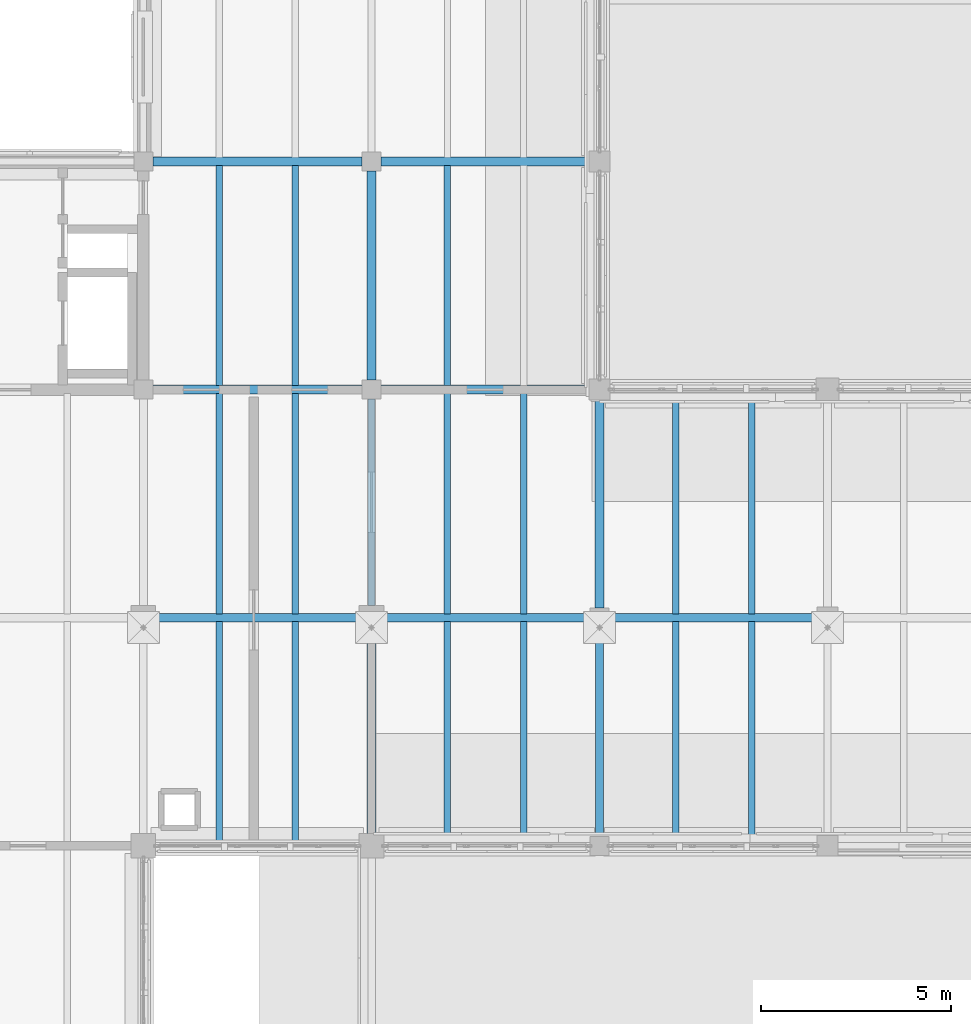
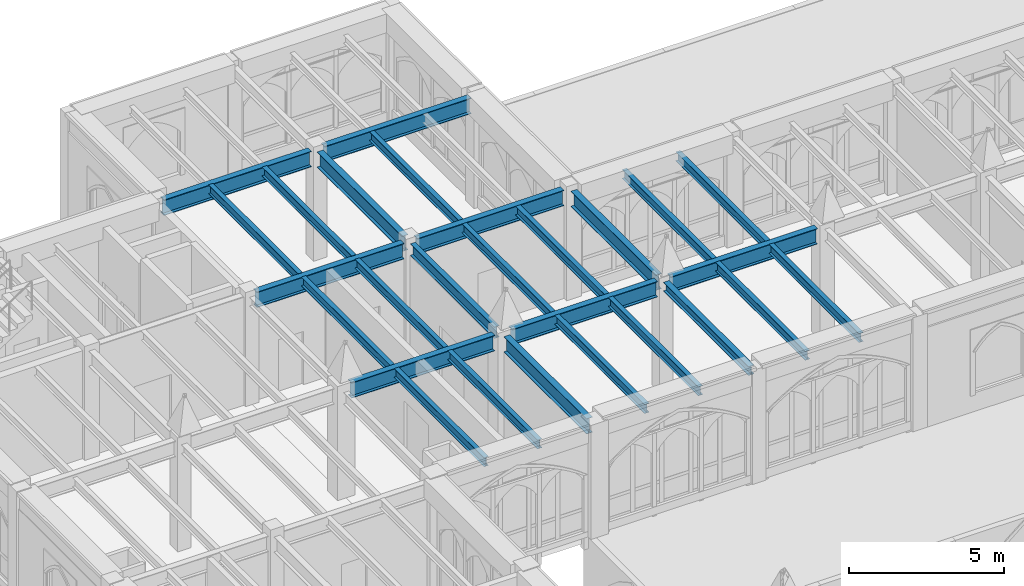
# One storey, part 74 of 143: 27 beams.
"""IFC4 building model written with IfcOpenShell, lengths in metres."""

from ifc_helpers import new_model, si_unit, direction, frame, origin, origin_2d, place, context, subcontext, project, spatial, i_section, extrude, material, material_profile, profile_set, type_object, element, save


model = new_model("IFC4")

# Units and contexts
model_context = context("Model", 3, precision=1e-05, world=origin(), true_north=direction((0.0, 1.0)))
body_context = subcontext(model_context, "Body", "Model", "MODEL_VIEW")
ifc_project = project(units=[si_unit("LENGTHUNIT", "METRE"), si_unit("AREAUNIT", "SQUARE_METRE"), si_unit("VOLUMEUNIT", "CUBIC_METRE"), si_unit("PLANEANGLEUNIT", "RADIAN"), si_unit("MASSUNIT", "GRAM", prefix="KILO")], contexts=[model_context])

# Site, building, storey
site_placement = place(None, origin())
site = spatial("IfcSite", under=ifc_project, at=site_placement, CompositionType="ELEMENT")
building_placement = place(site_placement, origin())
building = spatial("IfcBuilding", under=site, at=building_placement, Name="Cumevento Cable Car Station", CompositionType="ELEMENT")
storey_placement = place(building_placement, frame((0.0, 0.0, 9.0)))
storey = spatial("IfcBuildingStorey", under=building, at=storey_placement, Name="L03", CompositionType="ELEMENT", Elevation=9.0)

# Beams
ifc_material_1 = material(Name="Steel ASTM A572 Grade 50", Category="steel")
ifc_material_profile_1 = material_profile(ifc_material_1, i_section(OverallWidth=0.22998046875, OverallDepth=0.616943359375, WebThickness=0.01318359375, FlangeThickness=0.022216796875, at=origin_2d()), Name="W610x140.0")
ifc_profile_set_1 = profile_set([ifc_material_profile_1], Name="Steel ASTM A572 Grade 50")
beam_type_1 = type_object("IfcBeamType", Name="Structural Beam BM-01 W610x140.0", PredefinedType="BEAM", material=ifc_profile_set_1)
beam_1_placement = place(storey_placement, frame((130.324951171875, 39.0, 3.991455078125), z_axis=(1.0, 0.0, 0.0), x_axis=(0.0, 1.0, 0.0)))
element("IfcBeam", 1, at=beam_1_placement, inside=storey, type_object=beam_type_1, Name="Beam BM-01 L03 #1152", PredefinedType="BEAM", context=body_context, shape_type="SweptSolid", body=[
    extrude(i_section(OverallWidth=0.22998046875, OverallDepth=0.616943359375, WebThickness=0.01318359375, FlangeThickness=0.022216796875, at=origin_2d()), origin(), (0.0, 0.0, 1.0), 5.35009765625),
])
beam_2_placement = place(storey_placement, frame((130.25, 45.0, 3.95556640625), z_axis=(1.0, 0.0, 0.0), x_axis=(0.0, 1.0, 0.0)))
element("IfcBeam", 2, at=beam_2_placement, inside=storey, type_object=beam_type_1, Name="Beam BM-01 L03 #1155", PredefinedType="BEAM", context=body_context, shape_type="SweptSolid", body=[
    extrude(i_section(OverallWidth=0.22998046875, OverallDepth=0.616943359375, WebThickness=0.01318359375, FlangeThickness=0.022216796875, at=origin_2d()), origin(), (0.0, 0.0, 1.0), 5.5),
])
beam_3_placement = place(storey_placement, frame((136.324951171875, 39.0, 3.991455078125), z_axis=(1.0, 0.0, 0.0), x_axis=(0.0, 1.0, 0.0)))
element("IfcBeam", 3, at=beam_3_placement, inside=storey, type_object=beam_type_1, Name="Beam BM-01 L03 #1169", PredefinedType="BEAM", context=body_context, shape_type="SweptSolid", body=[
    extrude(i_section(OverallWidth=0.22998046875, OverallDepth=0.616943359375, WebThickness=0.01318359375, FlangeThickness=0.022216796875, at=origin_2d()), origin(), (0.0, 0.0, 1.0), 5.425048828125),
])
for number, where, z_axis, x_axis, name in (
    (4, (142.25, 39.0, 3.991455078125), (1.0, 0.0, 0.0), (0.0, 1.0, 0.0), "Beam BM-01 L03 #1170"),
    (5, (136.25, 45.0, 3.967529296875), (1.0, 0.0, 0.0), (0.0, 1.0, 0.0), "Beam BM-01 L03 #1174"),
):
    element("IfcBeam", number, at=place(storey_placement, frame(where, z_axis=z_axis, x_axis=x_axis)), inside=storey, type_object=beam_type_1, Name=name, PredefinedType="BEAM", context=body_context, shape_type="SweptSolid", body=[
        extrude(i_section(OverallWidth=0.22998046875, OverallDepth=0.616943359375, WebThickness=0.01318359375, FlangeThickness=0.022216796875, at=origin_2d()), origin(), (0.0, 0.0, 1.0), 5.47509765625),
    ])
beam_4_placement = place(storey_placement, frame((130.25, 51.0, 3.95556640625), z_axis=(1.0, 0.0, 0.0), x_axis=(0.0, 1.0, 0.0)))
element("IfcBeam", 6, at=beam_4_placement, inside=storey, type_object=beam_type_1, Name="Beam BM-01 L03 #1193", PredefinedType="BEAM", context=body_context, shape_type="SweptSolid", body=[
    extrude(i_section(OverallWidth=0.22998046875, OverallDepth=0.616943359375, WebThickness=0.01318359375, FlangeThickness=0.022216796875, at=origin_2d()), origin(), (0.0, 0.0, 1.0), 5.5),
])
beam_5_placement = place(storey_placement, frame((136.25, 51.0, 3.967529296875), z_axis=(1.0, 0.0, 0.0), x_axis=(0.0, 1.0, 0.0)))
element("IfcBeam", 7, at=beam_5_placement, inside=storey, type_object=beam_type_1, Name="Beam BM-01 L03 #1194", PredefinedType="BEAM", context=body_context, shape_type="SweptSolid", body=[
    extrude(i_section(OverallWidth=0.22998046875, OverallDepth=0.616943359375, WebThickness=0.01318359375, FlangeThickness=0.022216796875, at=origin_2d()), origin(), (0.0, 0.0, 1.0), 5.47509765625),
])
ifc_material_2 = material(Name="Steel ASTM A572 Grade 50", Category="steel")
ifc_material_profile_2 = material_profile(ifc_material_2, i_section(OverallWidth=0.22802734375, OverallDepth=0.60791015625, WebThickness=0.01123046875, FlangeThickness=0.017333984375, at=origin_2d()), Name="W610x113.0")
ifc_profile_set_2 = profile_set([ifc_material_profile_2], Name="Steel ASTM A572 Grade 50")
beam_type_2 = type_object("IfcBeamType", Name="Structural Beam BM-02 W610x113.0", PredefinedType="BEAM", material=ifc_profile_set_2)
beam_6_placement = place(storey_placement, frame((136.0, 33.324951171875, 3.99609375), z_axis=(0.0, 1.0, 0.0), x_axis=(-1.0, 0.0, 0.0)))
element("IfcBeam", 8, at=beam_6_placement, inside=storey, type_object=beam_type_2, Name="Beam BM-02 L03 #1162", PredefinedType="BEAM", context=body_context, shape_type="SweptSolid", body=[
    extrude(i_section(OverallWidth=0.22802734375, OverallDepth=0.60791015625, WebThickness=0.01123046875, FlangeThickness=0.017333984375, at=origin_2d()), origin(), (0.0, 0.0, 1.0), 5.35009765625),
])
beam_7_placement = place(storey_placement, frame((142.0, 39.25, 3.971923828125), z_axis=(0.0, 1.0, 0.0), x_axis=(-1.0, 0.0, 0.0)))
element("IfcBeam", 9, at=beam_7_placement, inside=storey, type_object=beam_type_2, Name="Beam BM-02 L03 #1180", PredefinedType="BEAM", context=body_context, shape_type="SweptSolid", body=[
    extrude(i_section(OverallWidth=0.22802734375, OverallDepth=0.60791015625, WebThickness=0.01123046875, FlangeThickness=0.017333984375, at=origin_2d()), origin(), (0.0, 0.0, 1.0), 5.47509765625),
])
beam_8_placement = place(storey_placement, frame((136.0, 45.25, 3.971923828125), z_axis=(0.0, 1.0, 0.0), x_axis=(-1.0, 0.0, 0.0)))
element("IfcBeam", 10, at=beam_8_placement, inside=storey, type_object=beam_type_2, Name="Beam BM-02 L03 #1198", PredefinedType="BEAM", context=body_context, shape_type="SweptSolid", body=[
    extrude(i_section(OverallWidth=0.22802734375, OverallDepth=0.60791015625, WebThickness=0.01123046875, FlangeThickness=0.017333984375, at=origin_2d()), origin(), (0.0, 0.0, 1.0), 5.5),
])
ifc_material_3 = material(Name="Steel ASTM A572 Grade 50", Category="steel")
ifc_material_profile_3 = material_profile(ifc_material_3, i_section(OverallWidth=0.18994140625, OverallDepth=0.45703125, WebThickness=0.009033203125, FlangeThickness=0.014404296875, at=origin_2d()), Name="W460x74.0")
ifc_profile_set_3 = profile_set([ifc_material_profile_3], Name="Steel ASTM A572 Grade 50")
beam_type_3 = type_object("IfcBeamType", Name="Structural Beam BM-04 W460x74.0", PredefinedType="BEAM", material=ifc_profile_set_3)
beam_9_placement = place(storey_placement, frame((136.0, 39.324951171875, 4.047607421875), z_axis=(0.0, 1.0, 0.0), x_axis=(-1.0, 0.0, 0.0)))
element("IfcBeam", 11, at=beam_9_placement, inside=storey, type_object=beam_type_3, Name="Beam BM-04 L03 #1163", PredefinedType="BEAM", context=body_context, shape_type="SweptSolid", body=[
    extrude(i_section(OverallWidth=0.18994140625, OverallDepth=0.45703125, WebThickness=0.009033203125, FlangeThickness=0.014404296875, at=origin_2d()), origin(), (0.0, 0.0, 1.0), 5.425048828125),
])
ifc_material_4 = material(Name="Steel ASTM A572 Grade 50", Category="steel")
ifc_material_profile_4 = material_profile(ifc_material_4, i_section(OverallWidth=0.205078125, OverallDepth=0.35400390625, WebThickness=0.009521484375, FlangeThickness=0.016845703125, at=origin_2d()), Name="W360x79.0")
ifc_profile_set_4 = profile_set([ifc_material_profile_4], Name="Steel ASTM A572 Grade 50")
beam_type_4 = type_object("IfcBeamType", Name="Structural Beam BM-05 W360x79.0", PredefinedType="BEAM", material=ifc_profile_set_4)
beam_10_placement = place(storey_placement, frame((142.0, 33.25, 4.123046875), z_axis=(0.0, 1.0, 0.0), x_axis=(-1.0, 0.0, 0.0)))
element("IfcBeam", 12, at=beam_10_placement, inside=storey, type_object=beam_type_4, Name="Beam BM-05 L03 #1179", PredefinedType="BEAM", context=body_context, shape_type="SweptSolid", body=[
    extrude(i_section(OverallWidth=0.205078125, OverallDepth=0.35400390625, WebThickness=0.009521484375, FlangeThickness=0.016845703125, at=origin_2d()), origin(), (0.0, 0.0, 1.0), 5.5),
])
ifc_material_5 = material(Name="Steel ASTM A572 Grade 50", Category="steel")
ifc_material_profile_5 = material_profile(ifc_material_5, i_section(OverallWidth=0.1708984375, OverallDepth=0.35498046875, WebThickness=0.007080078125, FlangeThickness=0.01171875, at=origin_2d()), Name="W360x51.0")
ifc_profile_set_5 = profile_set([ifc_material_profile_5], Name="Steel ASTM A572 Grade 50")
beam_type_5 = type_object("IfcBeamType", Name="Structural Joist JS-01 W360x51.0", PredefinedType="JOIST", material=ifc_profile_set_5)
beam_11_placement = place(storey_placement, frame((132.0, 33.076904296875, 4.12255859375), z_axis=(0.0, 1.0, 0.0), x_axis=(-1.0, 0.0, 0.0)))
element("IfcBeam", 13, at=beam_11_placement, inside=storey, type_object=beam_type_5, Name="Composite Floor Joist JS-01 L03 #1309", PredefinedType="JOIST", context=body_context, shape_type="SweptSolid", body=[
    extrude(i_section(OverallWidth=0.1708984375, OverallDepth=0.35498046875, WebThickness=0.007080078125, FlangeThickness=0.01171875, at=origin_2d()), origin(), (0.0, 0.0, 1.0), 5.820068359375),
])
beam_12_placement = place(storey_placement, frame((132.0, 39.10302734375, 4.098388671875), z_axis=(0.0, 1.0, 0.0), x_axis=(-1.0, 0.0, 0.0)))
element("IfcBeam", 14, at=beam_12_placement, inside=storey, type_object=beam_type_5, Name="Composite Floor Joist JS-01 L03 #1310", PredefinedType="JOIST", context=body_context, shape_type="SweptSolid", body=[
    extrude(i_section(OverallWidth=0.1708984375, OverallDepth=0.35498046875, WebThickness=0.007080078125, FlangeThickness=0.01171875, at=origin_2d()), origin(), (0.0, 0.0, 1.0), 5.7939453125),
])
beam_13_placement = place(storey_placement, frame((134.0, 33.076904296875, 4.12255859375), z_axis=(0.0, 1.0, 0.0), x_axis=(-1.0, 0.0, 0.0)))
element("IfcBeam", 15, at=beam_13_placement, inside=storey, type_object=beam_type_5, Name="Composite Floor Joist JS-01 L03 #1311", PredefinedType="JOIST", context=body_context, shape_type="SweptSolid", body=[
    extrude(i_section(OverallWidth=0.1708984375, OverallDepth=0.35498046875, WebThickness=0.007080078125, FlangeThickness=0.01171875, at=origin_2d()), origin(), (0.0, 0.0, 1.0), 5.820068359375),
])
beam_14_placement = place(storey_placement, frame((134.0, 39.10302734375, 4.098388671875), z_axis=(0.0, 1.0, 0.0), x_axis=(-1.0, 0.0, 0.0)))
element("IfcBeam", 16, at=beam_14_placement, inside=storey, type_object=beam_type_5, Name="Composite Floor Joist JS-01 L03 #1312", PredefinedType="JOIST", context=body_context, shape_type="SweptSolid", body=[
    extrude(i_section(OverallWidth=0.1708984375, OverallDepth=0.35498046875, WebThickness=0.007080078125, FlangeThickness=0.01171875, at=origin_2d()), origin(), (0.0, 0.0, 1.0), 5.7939453125),
])
beam_15_placement = place(storey_placement, frame((138.0, 33.076904296875, 4.12255859375), z_axis=(0.0, 1.0, 0.0), x_axis=(-1.0, 0.0, 0.0)))
element("IfcBeam", 17, at=beam_15_placement, inside=storey, type_object=beam_type_5, Name="Composite Floor Joist JS-01 L03 #1313", PredefinedType="JOIST", context=body_context, shape_type="SweptSolid", body=[
    extrude(i_section(OverallWidth=0.1708984375, OverallDepth=0.35498046875, WebThickness=0.007080078125, FlangeThickness=0.01171875, at=origin_2d()), origin(), (0.0, 0.0, 1.0), 5.820068359375),
])
beam_16_placement = place(storey_placement, frame((138.0, 39.10302734375, 4.098388671875), z_axis=(0.0, 1.0, 0.0), x_axis=(-1.0, 0.0, 0.0)))
element("IfcBeam", 18, at=beam_16_placement, inside=storey, type_object=beam_type_5, Name="Composite Floor Joist JS-01 L03 #1314", PredefinedType="JOIST", context=body_context, shape_type="SweptSolid", body=[
    extrude(i_section(OverallWidth=0.1708984375, OverallDepth=0.35498046875, WebThickness=0.007080078125, FlangeThickness=0.01171875, at=origin_2d()), origin(), (0.0, 0.0, 1.0), 5.7939453125),
])
beam_17_placement = place(storey_placement, frame((140.0, 33.076904296875, 4.12255859375), z_axis=(0.0, 1.0, 0.0), x_axis=(-1.0, 0.0, 0.0)))
element("IfcBeam", 19, at=beam_17_placement, inside=storey, type_object=beam_type_5, Name="Composite Floor Joist JS-01 L03 #1315", PredefinedType="JOIST", context=body_context, shape_type="SweptSolid", body=[
    extrude(i_section(OverallWidth=0.1708984375, OverallDepth=0.35498046875, WebThickness=0.007080078125, FlangeThickness=0.01171875, at=origin_2d()), origin(), (0.0, 0.0, 1.0), 5.820068359375),
])
beam_18_placement = place(storey_placement, frame((140.0, 39.10302734375, 4.098388671875), z_axis=(0.0, 1.0, 0.0), x_axis=(-1.0, 0.0, 0.0)))
element("IfcBeam", 20, at=beam_18_placement, inside=storey, type_object=beam_type_5, Name="Composite Floor Joist JS-01 L03 #1316", PredefinedType="JOIST", context=body_context, shape_type="SweptSolid", body=[
    extrude(i_section(OverallWidth=0.1708984375, OverallDepth=0.35498046875, WebThickness=0.007080078125, FlangeThickness=0.01171875, at=origin_2d()), origin(), (0.0, 0.0, 1.0), 5.7939453125),
])
for number, where, z_axis, x_axis, name in (
    (21, (144.0, 33.076904296875, 4.12255859375), (0.0, 1.0, 0.0), (-1.0, 0.0, 0.0), "Composite Floor Joist JS-01 L03 #1317"),
    (22, (144.0, 39.10302734375, 4.12255859375), (0.0, 1.0, 0.0), (-1.0, 0.0, 0.0), "Composite Floor Joist JS-01 L03 #1318"),
    (23, (146.0, 33.076904296875, 4.12255859375), (0.0, 1.0, 0.0), (-1.0, 0.0, 0.0), "Composite Floor Joist JS-01 L03 #1319"),
    (24, (146.0, 39.10302734375, 4.12255859375), (0.0, 1.0, 0.0), (-1.0, 0.0, 0.0), "Composite Floor Joist JS-01 L03 #1320"),
):
    element("IfcBeam", number, at=place(storey_placement, frame(where, z_axis=z_axis, x_axis=x_axis)), inside=storey, type_object=beam_type_5, Name=name, PredefinedType="JOIST", context=body_context, shape_type="SweptSolid", body=[
        extrude(i_section(OverallWidth=0.1708984375, OverallDepth=0.35498046875, WebThickness=0.007080078125, FlangeThickness=0.01171875, at=origin_2d()), origin(), (0.0, 0.0, 1.0), 5.820068359375),
    ])
for number, where, z_axis, x_axis, name in (
    (25, (132.0, 45.10302734375, 4.098388671875), (0.0, 1.0, 0.0), (-1.0, 0.0, 0.0), "Composite Floor Joist JS-01 L03 #1334"),
    (26, (134.0, 45.10302734375, 4.098388671875), (0.0, 1.0, 0.0), (-1.0, 0.0, 0.0), "Composite Floor Joist JS-01 L03 #1336"),
    (27, (138.0, 45.10302734375, 4.098388671875), (0.0, 1.0, 0.0), (-1.0, 0.0, 0.0), "Composite Floor Joist JS-01 L03 #1338"),
):
    element("IfcBeam", number, at=place(storey_placement, frame(where, z_axis=z_axis, x_axis=x_axis)), inside=storey, type_object=beam_type_5, Name=name, PredefinedType="JOIST", context=body_context, shape_type="SweptSolid", body=[
        extrude(i_section(OverallWidth=0.1708984375, OverallDepth=0.35498046875, WebThickness=0.007080078125, FlangeThickness=0.01171875, at=origin_2d()), origin(), (0.0, 0.0, 1.0), 5.7939453125),
    ])

save(model, "model.ifc")
